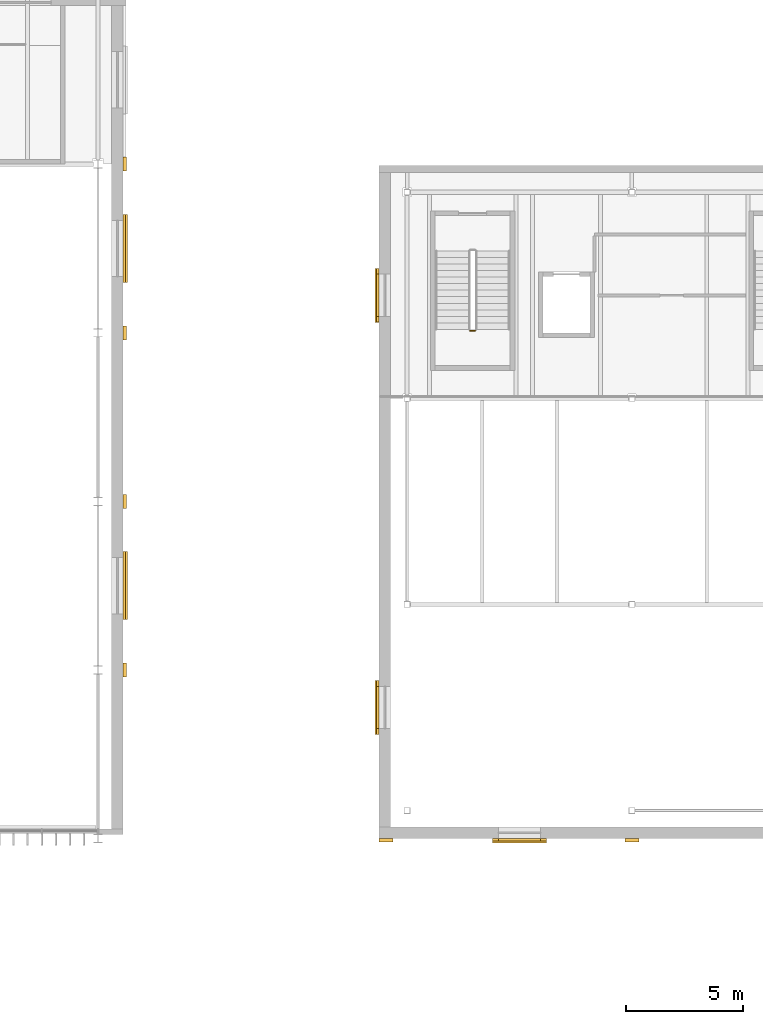
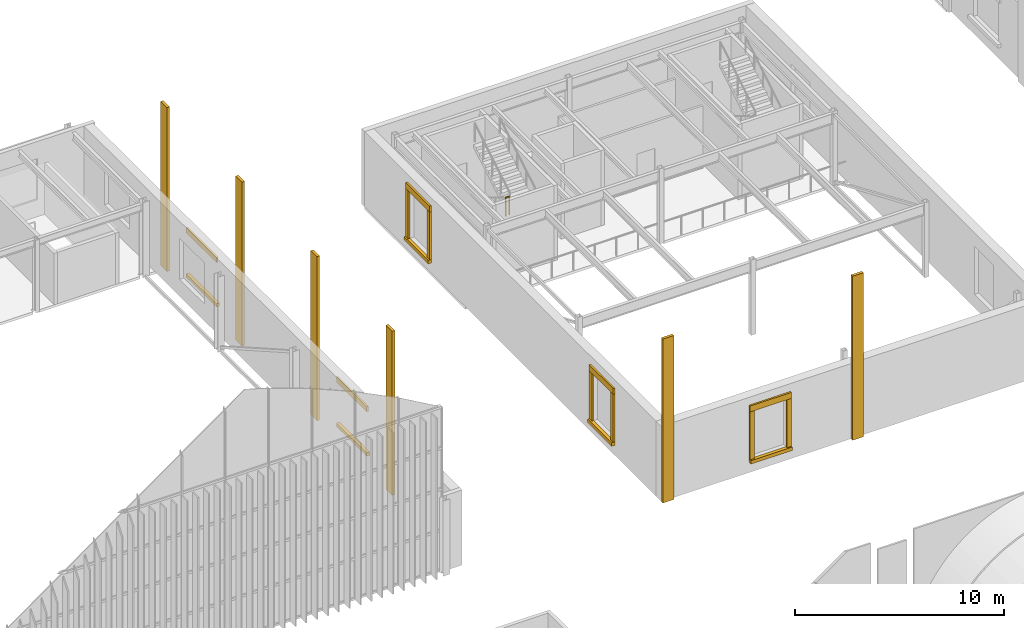
# One storey, part 162 of 169: 22 coverings, 1 railing.
"""IFC4 building model written with IfcOpenShell, lengths in metres."""

from ifc_helpers import new_model, si_unit, direction, frame, origin, origin_2d, place, context, subcontext, project, spatial, rectangle, circle, extrude, material, layer, layer_set, type_object, element, save


model = new_model("IFC4")

# Units and contexts
model_context = context("Model", 3, precision=1e-05, world=origin(), true_north=direction((0.0, 1.0)))
body_context = subcontext(model_context, "Body", "Model", "MODEL_VIEW")
ifc_project = project(units=[si_unit("LENGTHUNIT", "METRE"), si_unit("AREAUNIT", "SQUARE_METRE"), si_unit("VOLUMEUNIT", "CUBIC_METRE"), si_unit("PLANEANGLEUNIT", "RADIAN"), si_unit("MASSUNIT", "GRAM", prefix="KILO")], contexts=[model_context])

# Site, building, storey
site_placement = place(None, origin())
site = spatial("IfcSite", under=ifc_project, at=site_placement, CompositionType="ELEMENT")
building_placement = place(site_placement, origin())
building = spatial("IfcBuilding", under=site, at=building_placement, Name="Verrick Yard Athletic Hall", CompositionType="ELEMENT")
storey_placement = place(building_placement, frame((0.0, 0.0, 4.39990234375)))
storey = spatial("IfcBuildingStorey", under=building, at=storey_placement, Name="L01", CompositionType="ELEMENT", Elevation=4.39990234375)

# Railing
ifc_material_1 = material(Name="Stainless steel", Category="steel")
railing_type = type_object("IfcRailingType", Name="Stair and core guard 1100", PredefinedType="GUARDRAIL", material=ifc_material_1)
railing_placement = place(storey_placement, frame((91.89990234375, 93.68994140625, 2.2001953125)))
element("IfcRailing", 1, at=railing_placement, inside=storey, type_object=railing_type, Name="L01 Climbing hall west stair guard 2", PredefinedType="GUARDRAIL", context=body_context, shape_type="SweptSolid", body=[
    extrude(circle(Radius=0.02392578125, at=origin_2d()), frame((0.0, 0.0, 1.076171875), z_axis=(1.0, 0.0, 0.0), x_axis=(0.0, 1.0, 0.0)), (0.0, 0.0, 1.0), 0.2001953125),
    extrude(circle(Radius=0.02099609375, at=origin_2d()), origin(), (0.0, 0.0, 1.0), 1.052001953125),
    extrude(circle(Radius=0.02099609375, at=origin_2d()), frame((0.2001953125, 0.0, 0.0)), (0.0, 0.0, 1.0), 1.052001953125),
])

# Coverings
ifc_material_2 = material(Name="Tyndall-stone-look precast cladding", Category="masonry")
ifc_layer_1 = layer(ifc_material_2, 0.125)
ifc_layer_set_1 = layer_set([ifc_layer_1], Name="Stone cladding")
covering_type_1 = type_object("IfcCoveringType", Name="Stone cladding", PredefinedType="CLADDING", material=ifc_layer_set_1)
for number, where, z_axis, x_axis, name in (
    (2, (77.14990234375, 79.199951171875, 0.0), (0.0, 0.0, 1.0), (1.0, 0.0, 0.0), "ENVB-HB-E-PIL1"),
    (3, (77.14990234375, 86.39990234375, 0.0), (0.0, 0.0, 1.0), (1.0, 0.0, 0.0), "ENVB-HB-E-PIL2"),
    (4, (77.14990234375, 93.60009765625, 0.0), (0.0, 0.0, 1.0), (1.0, 0.0, 0.0), "ENVB-HB-E-PIL3"),
    (5, (77.14990234375, 100.800048828125, 0.0), (0.0, 0.0, 1.0), (1.0, 0.0, 0.0), "ENVB-HB-E-PIL4"),
):
    element("IfcCovering", number, at=place(storey_placement, frame(where, z_axis=z_axis, x_axis=x_axis)), inside=storey, type_object=covering_type_1, Name=name, PredefinedType="CLADDING", context=body_context, shape_type="SweptSolid", body=[
        extrude(rectangle(XDim=0.14990234375, YDim=0.60009765625, at=origin_2d()), origin(), (0.0, 0.0, 1.0), 9.60009765625),
    ])
for number, where, z_axis, x_axis, name in (
    (6, (88.300048828125, 71.925048828125, 0.0), (0.0, 0.0, 1.0), (1.0, 0.0, 0.0), "Climbing hall giant pilaster"),
    (7, (98.800048828125, 71.925048828125, 0.0), (0.0, 0.0, 1.0), (1.0, 0.0, 0.0), "Climbing hall giant pilaster"),
):
    element("IfcCovering", number, at=place(storey_placement, frame(where, z_axis=z_axis, x_axis=x_axis)), inside=storey, type_object=covering_type_1, Name=name, PredefinedType="CLADDING", context=body_context, shape_type="SweptSolid", body=[
        extrude(rectangle(XDim=0.60009765625, YDim=0.14990234375, at=origin_2d()), origin(), (0.0, 0.0, 1.0), 9.60009765625),
    ])
ifc_layer_2 = layer(ifc_material_2, 0.25)
ifc_layer_set_2 = layer_set([ifc_layer_2], Name="Stone moulding")
covering_type_2 = type_object("IfcCoveringType", Name="Stone moulding", PredefinedType="MOLDING", material=ifc_layer_set_2)
covering_1_placement = place(storey_placement, frame((94.0, 71.909912109375, 0.60009765625), z_axis=(0.0, 0.0, 1.0), x_axis=(1.0, 0.0, 0.0)))
element("IfcCovering", 8, at=covering_1_placement, inside=storey, type_object=covering_type_2, Name="Window sill", PredefinedType="MOLDING", context=body_context, shape_type="SweptSolid", body=[
    extrude(rectangle(XDim=2.300048828125, YDim=0.179931640625, at=origin_2d()), origin(), (0.0, 0.0, 1.0), 0.199951171875),
])
covering_2_placement = place(storey_placement, frame((94.0, 71.949951171875, 3.60009765625), z_axis=(0.0, 0.0, 1.0), x_axis=(1.0, 0.0, 0.0)))
element("IfcCovering", 9, at=covering_2_placement, inside=storey, type_object=covering_type_2, Name="Window head", PredefinedType="MOLDING", context=body_context, shape_type="SweptSolid", body=[
    extrude(rectangle(XDim=2.300048828125, YDim=0.10009765625, at=origin_2d()), origin(), (0.0, 0.0, 1.0), 0.35009765625),
])
for number, where, z_axis, x_axis, name in (
    (10, (92.97509765625, 71.949951171875, 0.80029296875), (0.0, 0.0, 1.0), (1.0, 0.0, 0.0), "Window jamb"),
    (11, (95.02490234375, 71.949951171875, 0.80029296875), (0.0, 0.0, 1.0), (1.0, 0.0, 0.0), "Window jamb"),
):
    element("IfcCovering", number, at=place(storey_placement, frame(where, z_axis=z_axis, x_axis=x_axis)), inside=storey, type_object=covering_type_2, Name=name, PredefinedType="MOLDING", context=body_context, shape_type="SweptSolid", body=[
        extrude(rectangle(XDim=0.25, YDim=0.10009765625, at=origin_2d()), origin(), (0.0, 0.0, 1.0), 2.800048828125),
    ])
covering_3_placement = place(storey_placement, frame((87.909912109375, 77.60009765625, 0.60009765625), z_axis=(0.0, 0.0, 1.0), x_axis=(0.0, 1.0, 0.0)))
element("IfcCovering", 12, at=covering_3_placement, inside=storey, type_object=covering_type_2, Name="Window sill", PredefinedType="MOLDING", context=body_context, shape_type="SweptSolid", body=[
    extrude(rectangle(XDim=2.300048828125, YDim=0.179931640625, at=origin_2d()), origin(), (0.0, 0.0, 1.0), 0.199951171875),
])
covering_4_placement = place(storey_placement, frame((87.949951171875, 77.60009765625, 3.60009765625), z_axis=(0.0, 0.0, 1.0), x_axis=(0.0, 1.0, 0.0)))
element("IfcCovering", 13, at=covering_4_placement, inside=storey, type_object=covering_type_2, Name="Window head", PredefinedType="MOLDING", context=body_context, shape_type="SweptSolid", body=[
    extrude(rectangle(XDim=2.300048828125, YDim=0.10009765625, at=origin_2d()), origin(), (0.0, 0.0, 1.0), 0.35009765625),
])
for number, where, z_axis, x_axis, name in (
    (14, (87.949951171875, 76.574951171875, 0.80029296875), (0.0, 0.0, 1.0), (0.0, 1.0, 0.0), "Window jamb"),
    (15, (87.949951171875, 78.625, 0.80029296875), (0.0, 0.0, 1.0), (0.0, 1.0, 0.0), "Window jamb"),
):
    element("IfcCovering", number, at=place(storey_placement, frame(where, z_axis=z_axis, x_axis=x_axis)), inside=storey, type_object=covering_type_2, Name=name, PredefinedType="MOLDING", context=body_context, shape_type="SweptSolid", body=[
        extrude(rectangle(XDim=0.25, YDim=0.10009765625, at=origin_2d()), origin(), (0.0, 0.0, 1.0), 2.800048828125),
    ])
covering_5_placement = place(storey_placement, frame((87.909912109375, 95.199951171875, 0.60009765625), z_axis=(0.0, 0.0, 1.0), x_axis=(0.0, 1.0, 0.0)))
element("IfcCovering", 16, at=covering_5_placement, inside=storey, type_object=covering_type_2, Name="Window sill", PredefinedType="MOLDING", context=body_context, shape_type="SweptSolid", body=[
    extrude(rectangle(XDim=2.300048828125, YDim=0.179931640625, at=origin_2d()), origin(), (0.0, 0.0, 1.0), 0.199951171875),
])
covering_6_placement = place(storey_placement, frame((87.949951171875, 95.199951171875, 3.60009765625), z_axis=(0.0, 0.0, 1.0), x_axis=(0.0, 1.0, 0.0)))
element("IfcCovering", 17, at=covering_6_placement, inside=storey, type_object=covering_type_2, Name="Window head", PredefinedType="MOLDING", context=body_context, shape_type="SweptSolid", body=[
    extrude(rectangle(XDim=2.300048828125, YDim=0.10009765625, at=origin_2d()), origin(), (0.0, 0.0, 1.0), 0.35009765625),
])
for number, where, z_axis, x_axis, name in (
    (18, (87.949951171875, 94.175048828125, 0.80029296875), (0.0, 0.0, 1.0), (0.0, 1.0, 0.0), "Window jamb"),
    (19, (87.949951171875, 96.22509765625, 0.80029296875), (0.0, 0.0, 1.0), (0.0, 1.0, 0.0), "Window jamb"),
):
    element("IfcCovering", number, at=place(storey_placement, frame(where, z_axis=z_axis, x_axis=x_axis)), inside=storey, type_object=covering_type_2, Name=name, PredefinedType="MOLDING", context=body_context, shape_type="SweptSolid", body=[
        extrude(rectangle(XDim=0.25, YDim=0.10009765625, at=origin_2d()), origin(), (0.0, 0.0, 1.0), 2.800048828125),
    ])
covering_7_placement = place(storey_placement, frame((77.1650390625, 82.80078125, 0.80029296875), z_axis=(0.0, 0.0, 1.0), x_axis=(0.0, 1.0, 0.0)))
element("IfcCovering", 20, at=covering_7_placement, inside=storey, type_object=covering_type_2, Name="Window sill", PredefinedType="MOLDING", context=body_context, shape_type="SweptSolid", body=[
    extrude(rectangle(XDim=2.89990234375, YDim=0.179931640625, at=origin_2d()), origin(), (0.0, 0.0, 1.0), 0.199951171875),
])
covering_8_placement = place(storey_placement, frame((77.125, 82.80078125, 3.39990234375), z_axis=(0.0, 0.0, 1.0), x_axis=(0.0, 1.0, 0.0)))
element("IfcCovering", 21, at=covering_8_placement, inside=storey, type_object=covering_type_2, Name="Window head", PredefinedType="MOLDING", context=body_context, shape_type="SweptSolid", body=[
    extrude(rectangle(XDim=2.89990234375, YDim=0.10009765625, at=origin_2d()), origin(), (0.0, 0.0, 1.0), 0.300048828125),
])
covering_9_placement = place(storey_placement, frame((77.1650390625, 97.200927734375, 0.80029296875), z_axis=(0.0, 0.0, 1.0), x_axis=(0.0, 1.0, 0.0)))
element("IfcCovering", 22, at=covering_9_placement, inside=storey, type_object=covering_type_2, Name="Window sill", PredefinedType="MOLDING", context=body_context, shape_type="SweptSolid", body=[
    extrude(rectangle(XDim=2.89990234375, YDim=0.179931640625, at=origin_2d()), origin(), (0.0, 0.0, 1.0), 0.199951171875),
])
covering_10_placement = place(storey_placement, frame((77.125, 97.200927734375, 3.39990234375), z_axis=(0.0, 0.0, 1.0), x_axis=(0.0, 1.0, 0.0)))
element("IfcCovering", 23, at=covering_10_placement, inside=storey, type_object=covering_type_2, Name="Window head", PredefinedType="MOLDING", context=body_context, shape_type="SweptSolid", body=[
    extrude(rectangle(XDim=2.89990234375, YDim=0.10009765625, at=origin_2d()), origin(), (0.0, 0.0, 1.0), 0.300048828125),
])

save(model, "model.ifc")
